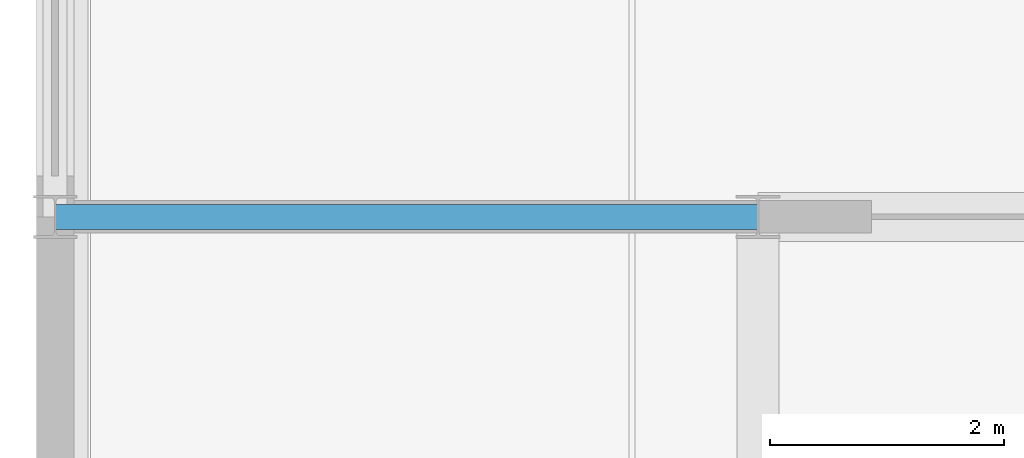
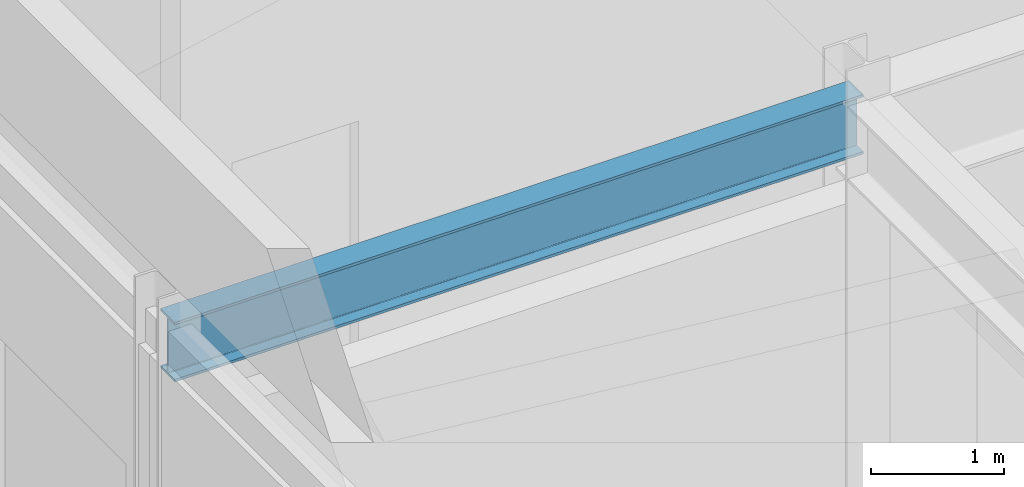
# One storey, part 4 of 16: 1 beam.
"""IFC4 building model written with IfcOpenShell, lengths in metres."""

import ifcopenshell
import ifcopenshell.guid

model = None  # the IFC model being written
_history = None  # IfcOwnerHistory: only IFC2X3 demands one
_inside = {}  # id of a spatial element -> (the spatial element, [elements in it])
_under = {}  # id of a project, library or spatial element -> (it, [spatial elements below it])
_declared = {}  # id of a project -> (the project, [libraries it declares])
_typed = {}  # id of a type object -> (the type object, [elements of that type])
_made_of = {}  # id of a material, layer set ... -> (it, [elements and type objects made of it])


def new_model(schema):
    """Start an empty IFC model of exactly this schema.

    Asked for "IFC4X3", IfcOpenShell would pick the latest addendum, in which some entities
    have other attributes; the version numbers below select the first issue.
    IFC2X3 requires an IfcOwnerHistory on every rooted entity: one is made here for all.
    """
    global model, _history
    if schema == "IFC4X3":
        model = ifcopenshell.file(schema_version=(4, 3, 0, 0))
    else:
        model = ifcopenshell.file(schema=schema)
    _inside.clear()
    _under.clear()
    _declared.clear()
    _typed.clear()
    _made_of.clear()
    _history = None
    if model.schema == "IFC2X3":
        org = make("IfcOrganization", Name="unknown")
        user = make(
            "IfcPersonAndOrganization",
            ThePerson=make("IfcPerson", FamilyName="unknown"),
            TheOrganization=org,
        )
        app = make(
            "IfcApplication",
            ApplicationDeveloper=org,
            Version="unknown",
            ApplicationFullName="unknown",
            ApplicationIdentifier="unknown",
        )
        _history = make(
            "IfcOwnerHistory",
            OwningUser=user,
            OwningApplication=app,
            ChangeAction="ADDED",
            CreationDate=0,
        )
    return model


def make(cls, **values):
    """One entity of the class cls with the attributes given. An attribute that is None is left unset."""
    return model.create_entity(
        cls, **{name: value for name, value in values.items() if value is not None}
    )


def rooted(cls, **values):
    """An entity with a GlobalId (a new one), such as an element, a storey or a relation."""
    return make(cls, GlobalId=ifcopenshell.guid.new(), OwnerHistory=_history, **values)


def si_unit(unit_type, name, prefix=None):
    """IfcSIUnit, for example si_unit("LENGTHUNIT", "METRE", prefix="MILLI")."""
    return make("IfcSIUnit", UnitType=unit_type, Prefix=prefix, Name=name)


def assignment(units):
    """IfcUnitAssignment: the units of a project."""
    return None if units is None else make("IfcUnitAssignment", Units=units)


def point(xyz):
    """IfcCartesianPoint."""
    return None if xyz is None else make("IfcCartesianPoint", Coordinates=xyz)


def direction(xyz):
    """IfcDirection."""
    return None if xyz is None else make("IfcDirection", DirectionRatios=xyz)


def frame(location, z_axis=None, x_axis=None):
    """IfcAxis2Placement3D, a coordinate frame: its origin and axes. An axis left out is left unset."""
    return make(
        "IfcAxis2Placement3D",
        Location=point(location),
        Axis=direction(z_axis),
        RefDirection=direction(x_axis),
    )


def frame_2d(location, x_axis=None):
    """IfcAxis2Placement2D, a coordinate frame in the plane: its origin and x axis."""
    return make(
        "IfcAxis2Placement2D", Location=point(location), RefDirection=direction(x_axis)
    )


def origin():
    """The frame at (0, 0, 0) with its axes left unset."""
    return frame((0.0, 0.0, 0.0))


def origin_2d():
    """The frame at (0, 0) in the plane with its x axis left unset."""
    return frame_2d((0.0, 0.0))


def place(relative_to, where):
    """IfcLocalPlacement: puts the frame where relative to a parent placement (None: the world)."""
    return make(
        "IfcLocalPlacement", PlacementRelTo=relative_to, RelativePlacement=where
    )


def context(
    kind, dimensions, precision=None, world=None, true_north=None, identifier=None
):
    """IfcGeometricRepresentationContext, for example the 3D "Model" context."""
    return make(
        "IfcGeometricRepresentationContext",
        ContextIdentifier=identifier,
        ContextType=kind,
        CoordinateSpaceDimension=dimensions,
        Precision=precision,
        WorldCoordinateSystem=world,
        TrueNorth=true_north,
    )


def subcontext(parent, identifier, kind, view, scale=None):
    """IfcGeometricRepresentationSubContext, for example "Body" below "Model"."""
    return make(
        "IfcGeometricRepresentationSubContext",
        ContextIdentifier=identifier,
        ContextType=kind,
        ParentContext=parent,
        TargetScale=scale,
        TargetView=view,
    )


def project(units=None, contexts=None):
    """IfcProject with its units and contexts."""
    return rooted(
        "IfcProject",
        Name="project",
        RepresentationContexts=contexts,
        UnitsInContext=assignment(units),
    )


def spatial(cls, under=None, at=None, **own):
    """A site, building, storey or space (cls), placed at a placement, below another one or the project."""
    s = rooted(cls, ObjectPlacement=at, **own)
    if under is not None:
        _under.setdefault(under.id(), (under, []))[1].append(s)
    return s


def profile(cls, at=None, kind="AREA", **sizes):
    """A parametric profile (cls). Its sizes go by their IFC names, for example OverallWidth=200.0."""
    return make(cls, ProfileType=kind, Position=at, **sizes)


def i_section(**sizes):
    """IfcIShapeProfileDef."""
    return profile("IfcIShapeProfileDef", **sizes)


def extrude(swept, where, along, depth):
    """IfcExtrudedAreaSolid: the profile swept, set in the frame where, extruded along a direction by depth."""
    return make(
        "IfcExtrudedAreaSolid",
        SweptArea=swept,
        Position=where,
        ExtrudedDirection=direction(along),
        Depth=depth,
    )


def shape(context_of_items, identifier, shape_type, items):
    """IfcShapeRepresentation: the items that make up one representation, for example the "Body"."""
    return make(
        "IfcShapeRepresentation",
        ContextOfItems=context_of_items,
        RepresentationIdentifier=identifier,
        RepresentationType=shape_type,
        Items=items,
    )


def material(Name=None, Category=None):
    """IfcMaterial."""
    return make("IfcMaterial", Name=Name, Category=Category)


def material_profile(
    of_material, cross_section, Name=None, Category=None, Priority=None
):
    """IfcMaterialProfile: a cross section and its material."""
    return make(
        "IfcMaterialProfile",
        Name=Name,
        Material=of_material,
        Profile=cross_section,
        Priority=Priority,
        Category=Category,
    )


def profile_set(profiles, Name=None, composite=None):
    """IfcMaterialProfileSet."""
    return make(
        "IfcMaterialProfileSet",
        Name=Name,
        MaterialProfiles=profiles,
        CompositeProfile=composite,
    )


def made_of(thing, what):
    """Note that an element or type object is made of a material, layer set ...; save() writes the relation."""
    if what is not None:
        _made_of.setdefault(what.id(), (what, []))[1].append(thing)
    return thing


def type_object(cls, material=None, **own):
    """A type object (cls), such as IfcWallType, which elements share."""
    return made_of(rooted(cls, **own), material)


def element(
    cls,
    number,
    at=None,
    inside=None,
    cuts=None,
    type_object=None,
    material=None,
    context=None,
    identifier="Body",
    shape_type=None,
    held_by="IfcProductDefinitionShape",
    body=None,
    shapes=None,
    **own,
):
    """One element of the class cls, such as IfcWall. Its Tag is "e" and its number.

    at: its placement. inside: the storey or other place that contains it. cuts: it is an
    opening in that element (IfcRelVoidsElement). A single representation is given by context,
    identifier, shape_type and body (its items); several are given by shapes. held_by: the class
    of the entity that holds the representations. save() writes the other relations.
    """
    e = rooted(cls, Tag="e%d" % number, ObjectPlacement=at, **own)
    if body is not None:
        shapes = [shape(context, identifier, shape_type, body)]
    if shapes is not None:
        e.Representation = make(held_by, Representations=shapes)
    if inside is not None:
        _inside.setdefault(inside.id(), (inside, []))[1].append(e)
    if cuts is not None:
        rooted(
            "IfcRelVoidsElement", RelatingBuildingElement=cuts, RelatedOpeningElement=e
        )
    if type_object is not None:
        _typed.setdefault(type_object.id(), (type_object, []))[1].append(e)
    return made_of(e, material)


def aggregate(whole, parts):
    """IfcRelAggregates: a whole, such as a stair, and the parts it consists of."""
    return rooted("IfcRelAggregates", RelatingObject=whole, RelatedObjects=parts)


def save(model, path):
    """Write the relations noted so far, then the file.

    IfcRelAggregates (storeys below a building ...), IfcRelContainedInSpatialStructure (elements
    in a storey), IfcRelDefinesByType, IfcRelAssociatesMaterial and IfcRelDeclares: one each for
    every whole, place, type object, material and project.
    """
    for whole, parts in _under.values():
        aggregate(whole, parts)
    for where, things in _inside.values():
        rooted(
            "IfcRelContainedInSpatialStructure",
            RelatedElements=things,
            RelatingStructure=where,
        )
    for kind, things in _typed.values():
        rooted("IfcRelDefinesByType", RelatedObjects=things, RelatingType=kind)
    for what, things in _made_of.values():
        rooted("IfcRelAssociatesMaterial", RelatedObjects=things, RelatingMaterial=what)
    for by, libraries in _declared.values():
        rooted("IfcRelDeclares", RelatingContext=by, RelatedDefinitions=libraries)
    model.write(path)


model = new_model("IFC4")

# Units and contexts
model_context = context("Model", 3, precision=1e-05, world=origin(), true_north=direction((0.0, 1.0)))
body_context = subcontext(model_context, "Body", "Model", "MODEL_VIEW")
ifc_project = project(units=[si_unit("LENGTHUNIT", "METRE"), si_unit("AREAUNIT", "SQUARE_METRE"), si_unit("VOLUMEUNIT", "CUBIC_METRE"), si_unit("PLANEANGLEUNIT", "RADIAN"), si_unit("MASSUNIT", "GRAM", prefix="KILO")], contexts=[model_context])

# Site, building, storey
site_placement = place(None, origin())
site = spatial("IfcSite", under=ifc_project, at=site_placement, CompositionType="ELEMENT")
building_placement = place(site_placement, origin())
building = spatial("IfcBuilding", under=site, at=building_placement, Name="Kaldorvane Square Convention Centre", CompositionType="ELEMENT")
storey_placement = place(building_placement, frame((0.0, 0.0, 70.80000305175781)))
storey = spatial("IfcBuildingStorey", under=building, at=storey_placement, Name="L17", CompositionType="ELEMENT", Elevation=70.80000305175781)

# Beam
ifc_material = material(Name="Steel ASTM A992 Gr. 50", Category="steel")
ifc_material_profile = material_profile(ifc_material, i_section(OverallWidth=0.213897705078125, OverallDepth=0.549102783203125, WebThickness=0.0146942138671875, FlangeThickness=0.0236053466796875, FilletRadius=0.0126953125, at=origin_2d()), Name="W21X93")
ifc_profile_set = profile_set([ifc_material_profile], Name="Steel ASTM A992 Gr. 50")
beam_type = type_object("IfcBeamType", Name="BM-GR-W21X93", PredefinedType="BEAM", material=ifc_profile_set)
beam_placement = place(storey_placement, frame((36.0, 96.0, 4.2014007568359375), z_axis=(1.0, 0.0, 0.0), x_axis=(0.0, 1.0, 0.0)))
element("IfcBeam", 1, at=beam_placement, inside=storey, type_object=beam_type, Name="Primary Girder (L17)", PredefinedType="BEAM", context=body_context, shape_type="SweptSolid", body=[
    extrude(i_section(OverallWidth=0.213897705078125, OverallDepth=0.549102783203125, WebThickness=0.0146942138671875, FlangeThickness=0.0236053466796875, FilletRadius=0.0126953125, at=origin_2d()), origin(), (0.0, 0.0, 1.0), 6.0),
])

save(model, "model.ifc")
